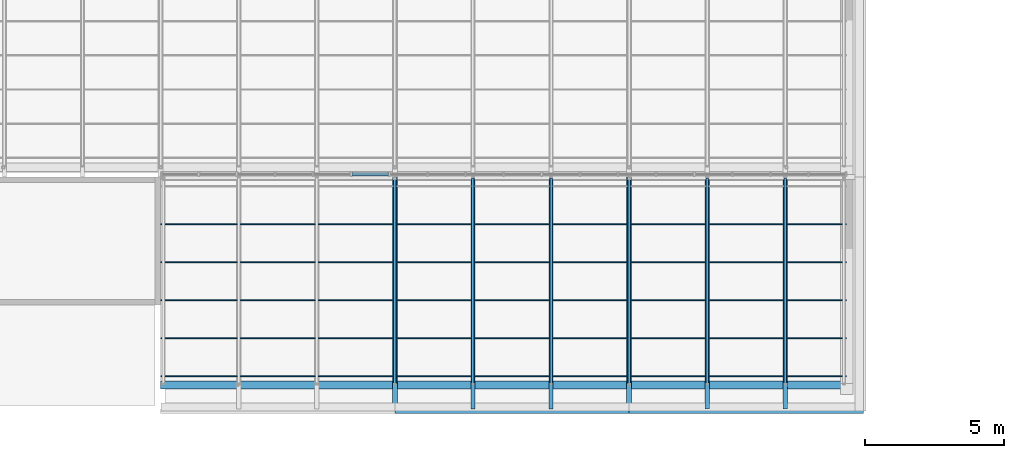
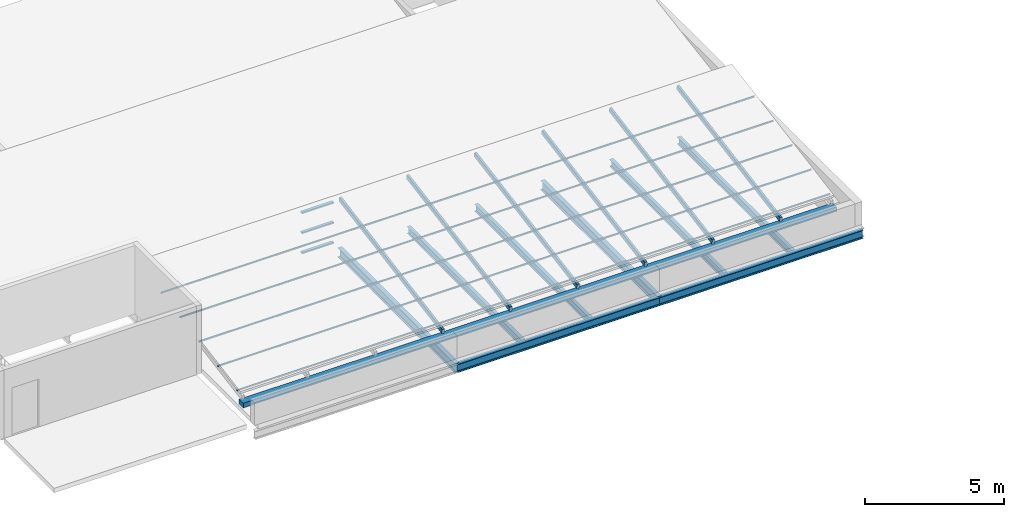
# One storey, part 4 of 42: 15 members, 8 beams, 1 element without a shape of its own.
"""IFC4 building model written with IfcOpenShell, lengths in metres."""

from ifc_helpers import new_model, si_unit, direction, frame, origin, origin_2d, place, context, subcontext, project, spatial, rectangle, hollow_rectangle, i_section, extrude, material, layer, layer_set, material_profile, profile_set, type_object, element, aggregate, save


model = new_model("IFC4")

# Units and contexts
model_context = context("Model", 3, precision=1e-05, world=origin(), true_north=direction((0.0, 1.0)))
body_context = subcontext(model_context, "Body", "Model", "MODEL_VIEW")
ifc_project = project(units=[si_unit("LENGTHUNIT", "METRE"), si_unit("AREAUNIT", "SQUARE_METRE"), si_unit("VOLUMEUNIT", "CUBIC_METRE"), si_unit("PLANEANGLEUNIT", "RADIAN"), si_unit("MASSUNIT", "GRAM", prefix="KILO")], contexts=[model_context])

# Site, building, storey
site_placement = place(None, origin())
site = spatial("IfcSite", under=ifc_project, at=site_placement, CompositionType="ELEMENT")
building_placement = place(site_placement, origin())
building = spatial("IfcBuilding", under=site, at=building_placement, Name="Ardhachandra Cancer Care Centre", CompositionType="ELEMENT")
storey_placement = place(building_placement, frame((0.0, 0.0, 22.5)))
storey = spatial("IfcBuildingStorey", under=building, at=storey_placement, Name="L05", CompositionType="ELEMENT", Elevation=22.5)

# Beams
ifc_material_1 = material(Name="Steel E350 (IS 2062)", Category="steel")
ifc_material_profile_1 = material_profile(ifc_material_1, i_section(OverallWidth=0.152099609375, OverallDepth=0.303955078125, WebThickness=0.008056640625, FlangeThickness=0.0126953125, FilletRadius=0.014892578125, at=origin_2d()), Name="NPB 300x150x49.32")
ifc_profile_set_1 = profile_set([ifc_material_profile_1], Name="Steel E350 (IS 2062)")
beam_type_1 = type_object("IfcBeamType", Name="Beam NPB 300x150x49.32", PredefinedType="BEAM", material=ifc_profile_set_1)
for number, where, z_axis, x_axis, name in (
    (1, (30.39990234375, 71.486083984375, -0.35205078125), (0.0, 1.0, 0.0), (-1.0, 0.0, 0.0), "Secondary H3-J3@2800"),
    (2, (33.199951171875, 71.486083984375, -0.35205078125), (0.0, 1.0, 0.0), (-1.0, 0.0, 0.0), "Secondary H3-J3@5600"),
    (3, (38.800048828125, 71.486083984375, -0.35205078125), (0.0, 1.0, 0.0), (-1.0, 0.0, 0.0), "Secondary H4-J4@2800"),
    (4, (41.60009765625, 71.486083984375, -0.35205078125), (0.0, 1.0, 0.0), (-1.0, 0.0, 0.0), "Secondary H4-J4@5600"),
):
    element("IfcBeam", number, at=place(storey_placement, frame(where, z_axis=z_axis, x_axis=x_axis)), inside=storey, type_object=beam_type_1, Name=name, PredefinedType="BEAM", context=body_context, shape_type="SweptSolid", body=[
        extrude(i_section(OverallWidth=0.152099609375, OverallDepth=0.303955078125, WebThickness=0.008056640625, FlangeThickness=0.0126953125, FilletRadius=0.014892578125, at=origin_2d()), origin(), (0.0, 0.0, 1.0), 8.223876953125),
    ])
ifc_material_2 = material(Name="Steel E350 (IS 2062)", Category="steel")
ifc_material_profile_2 = material_profile(ifc_material_2, i_section(OverallWidth=0.172119140625, OverallDepth=0.364013671875, WebThickness=0.00927734375, FlangeThickness=0.0146484375, FilletRadius=0.01806640625, at=origin_2d()), Name="NPB 350x170x66.04")
ifc_profile_set_2 = profile_set([ifc_material_profile_2], Name="Steel E350 (IS 2062)")
beam_type_2 = type_object("IfcBeamType", Name="Beam NPB 350x170x66.04", PredefinedType="BEAM", material=ifc_profile_set_2)
for number, where, z_axis, x_axis, name in (
    (5, (27.60009765625, 71.39990234375, -0.382080078125), (1.0, 0.0, 0.0), (0.0, 1.0, 0.0), "Edge girder H3-H4"),
    (6, (36.0, 71.39990234375, -0.382080078125), (1.0, 0.0, 0.0), (0.0, 1.0, 0.0), "Edge girder H4-H5"),
):
    element("IfcBeam", number, at=place(storey_placement, frame(where, z_axis=z_axis, x_axis=x_axis)), inside=storey, type_object=beam_type_2, Name=name, PredefinedType="BEAM", context=body_context, shape_type="SweptSolid", body=[
        extrude(i_section(OverallWidth=0.172119140625, OverallDepth=0.364013671875, WebThickness=0.00927734375, FlangeThickness=0.0146484375, FilletRadius=0.01806640625, at=origin_2d()), origin(), (0.0, 0.0, 1.0), 8.39990234375),
    ])
ifc_material_3 = material(Name="Steel E350 (IS 2062)", Category="steel")
ifc_material_profile_3 = material_profile(ifc_material_3, i_section(OverallWidth=0.179931640625, OverallDepth=0.39990234375, WebThickness=0.008544921875, FlangeThickness=0.013427734375, FilletRadius=0.02099609375, at=origin_2d()), Name="NPB 400x180x66.30")
ifc_profile_set_3 = profile_set([ifc_material_profile_3], Name="Steel E350 (IS 2062)")
beam_type_3 = type_object("IfcBeamType", Name="Beam NPB 400x180x66.30", PredefinedType="BEAM", material=ifc_profile_set_3)
for number, where, z_axis, x_axis, name in (
    (7, (27.60009765625, 71.39990234375, -0.39990234375), (0.0, 1.0, 0.0), (-1.0, 0.0, 0.0), "Girder H3-J3"),
    (8, (36.0, 71.39990234375, -0.39990234375), (0.0, 1.0, 0.0), (-1.0, 0.0, 0.0), "Girder H4-J4"),
):
    element("IfcBeam", number, at=place(storey_placement, frame(where, z_axis=z_axis, x_axis=x_axis)), inside=storey, type_object=beam_type_3, Name=name, PredefinedType="BEAM", context=body_context, shape_type="SweptSolid", body=[
        extrude(i_section(OverallWidth=0.179931640625, OverallDepth=0.39990234375, WebThickness=0.008544921875, FlangeThickness=0.013427734375, FilletRadius=0.02099609375, at=origin_2d()), origin(), (0.0, 0.0, 1.0), 8.400146484375),
    ])

# Curtain wall, members
ifc_material_4 = material(Name="Aluminium extrusion", Category="aluminium")
ifc_layer = layer(ifc_material_4, 0.14990234375)
ifc_layer_set = layer_set([ifc_layer], Name="Aluminium extrusion")
curtain_wall_type = type_object("IfcCurtainWallType", Name="Curtain wall run", PredefinedType="NOTDEFINED", material=ifc_layer_set)
curtain_wall_placement = place(storey_placement, origin())
curtain_wall = element("IfcCurtainWall", 9, at=curtain_wall_placement, inside=storey, type_object=curtain_wall_type, Name="Curtain wall L05 n/0019200_0079900", PredefinedType="NOTDEFINED")
ifc_material_5 = material(Name="Aluminium extrusion", Category="aluminium")
ifc_material_profile_4 = material_profile(ifc_material_5, rectangle(XDim=0.1201171875, YDim=0.06005859375, at=origin_2d()), Name="Curtain wall transom 60 x 120")
ifc_profile_set_4 = profile_set([ifc_material_profile_4], Name="Aluminium extrusion")
member_type_1 = type_object("IfcMemberType", Name="Curtain wall transom 60 x 120", PredefinedType="USERDEFINED", material=ifc_profile_set_4)
member_1_placement = place(storey_placement, frame((26.063232421875, 79.89990234375, 0.030029296875), z_axis=(1.0, 0.0, 0.0), x_axis=(0.0, 1.0, 0.0)))
member_1 = element("IfcMember", 10, at=member_1_placement, type_object=member_type_1, Name="CW transom 6.1", ObjectType="TRANSOM", PredefinedType="USERDEFINED", context=body_context, shape_type="SweptSolid", body=[
    extrude(rectangle(XDim=0.1201171875, YDim=0.06005859375, at=origin_2d()), origin(), (0.0, 0.0, 1.0), 1.306884765625),
])
member_2_placement = place(storey_placement, frame((26.063232421875, 79.89990234375, 0.909912109375), z_axis=(1.0, 0.0, 0.0), x_axis=(0.0, 1.0, 0.0)))
member_2 = element("IfcMember", 11, at=member_2_placement, type_object=member_type_1, Name="CW transom 6.2", ObjectType="TRANSOM", PredefinedType="USERDEFINED", context=body_context, shape_type="SweptSolid", body=[
    extrude(rectangle(XDim=0.1201171875, YDim=0.06005859375, at=origin_2d()), origin(), (0.0, 0.0, 1.0), 1.306884765625),
])
member_3_placement = place(storey_placement, frame((26.063232421875, 79.89990234375, 1.7900390625), z_axis=(1.0, 0.0, 0.0), x_axis=(0.0, 1.0, 0.0)))
member_3 = element("IfcMember", 12, at=member_3_placement, type_object=member_type_1, Name="CW transom 6.3", ObjectType="TRANSOM", PredefinedType="USERDEFINED", context=body_context, shape_type="SweptSolid", body=[
    extrude(rectangle(XDim=0.1201171875, YDim=0.06005859375, at=origin_2d()), origin(), (0.0, 0.0, 1.0), 1.306884765625),
])
aggregate(curtain_wall, [member_1, member_2, member_3])

# Members
ifc_material_6 = material(Name="Steel E350 (IS 2062)", Category="steel")
ifc_material_profile_5 = material_profile(ifc_material_6, hollow_rectangle(XDim=0.0400390625, YDim=0.080078125, WallThickness=0.00390625, InnerFilletRadius=0.00390625, OuterFilletRadius=0.008056640625, at=origin_2d()), Name="RHS 80x40x4.0")
ifc_profile_set_5 = profile_set([ifc_material_profile_5], Name="Steel E350 (IS 2062)")
member_type_2 = type_object("IfcMemberType", Name="Roof purlin RHS 80x40x4.0", PredefinedType="PURLIN", material=ifc_profile_set_5)
for number, where, z_axis, x_axis, name in (
    (13, (19.199951171875, 72.65380859375, 0.7890625), (1.0, 0.0, 0.0), (0.0, 0.984460447526, 0.175606455623), "Purlin NT1a.1"),
    (14, (19.199951171875, 74.015380859375, 1.031982421875), (1.0, 0.0, 0.0), (0.0, 0.984460447526, 0.175606455623), "Purlin NT1a.2"),
    (15, (19.199951171875, 75.376953125, 1.27490234375), (1.0, 0.0, 0.0), (0.0, 0.984460447526, 0.175606455623), "Purlin NT1a.3"),
    (16, (19.199951171875, 76.73876953125, 1.517822265625), (1.0, 0.0, 0.0), (0.0, 0.984460447526, 0.175606455623), "Purlin NT1a.4"),
    (17, (19.199951171875, 78.100341796875, 1.760498046875), (1.0, 0.0, 0.0), (0.0, 0.984460447526, 0.175606455623), "Purlin NT1a.5"),
):
    element("IfcMember", number, at=place(storey_placement, frame(where, z_axis=z_axis, x_axis=x_axis)), inside=storey, type_object=member_type_2, Name=name, PredefinedType="PURLIN", context=body_context, shape_type="SweptSolid", body=[
        extrude(hollow_rectangle(XDim=0.0400390625, YDim=0.080078125, WallThickness=0.00390625, InnerFilletRadius=0.00390625, OuterFilletRadius=0.008056640625, at=origin_2d()), origin(), (0.0, 0.0, 1.0), 24.60009765625),
    ])
ifc_material_7 = material(Name="Steel E350 (IS 2062)", Category="steel")
ifc_material_profile_6 = material_profile(ifc_material_7, hollow_rectangle(XDim=0.10009765625, YDim=0.199951171875, WallThickness=0.006103515625, InnerFilletRadius=0.006103515625, OuterFilletRadius=0.011962890625, at=origin_2d()), Name="RHS 200x100x6.0")
ifc_profile_set_6 = profile_set([ifc_material_profile_6], Name="Steel E350 (IS 2062)")
member_type_3 = type_object("IfcMemberType", Name="Roof rafter RHS 200x100x6.0", PredefinedType="RAFTER", material=ifc_profile_set_6)
for number, where, z_axis, x_axis, name in (
    (18, (27.60009765625, 72.38232421875, 0.598388671875), (0.0, 0.984459475851, 0.175611902805), (-1.0, 0.0, 0.0), "Rafter NT1a.4"),
    (19, (30.39990234375, 72.38232421875, 0.598388671875), (0.0, 0.984459475851, 0.175611902805), (-1.0, 0.0, 0.0), "Rafter NT1a.5"),
    (20, (33.199951171875, 72.38232421875, 0.598388671875), (0.0, 0.984459475851, 0.175611902805), (-1.0, 0.0, 0.0), "Rafter NT1a.6"),
    (21, (36.0, 72.38232421875, 0.598388671875), (0.0, 0.984459475851, 0.175611902805), (-1.0, 0.0, 0.0), "Rafter NT1a.7"),
    (22, (38.800048828125, 72.38232421875, 0.598388671875), (0.0, 0.984459475851, 0.175611902805), (-1.0, 0.0, 0.0), "Rafter NT1a.8"),
    (23, (41.60009765625, 72.38232421875, 0.598388671875), (0.0, 0.984459475851, 0.175611902805), (-1.0, 0.0, 0.0), "Rafter NT1a.9"),
):
    element("IfcMember", number, at=place(storey_placement, frame(where, z_axis=z_axis, x_axis=x_axis)), inside=storey, type_object=member_type_3, Name=name, PredefinedType="RAFTER", context=body_context, shape_type="SweptSolid", body=[
        extrude(hollow_rectangle(XDim=0.10009765625, YDim=0.199951171875, WallThickness=0.006103515625, InnerFilletRadius=0.006103515625, OuterFilletRadius=0.011962890625, at=origin_2d()), origin(), (0.0, 0.0, 1.0), 7.516845703125),
    ])
ifc_material_8 = material(Name="Stainless steel sheet gutter on galvanised steel cradle", Category="steel")
ifc_material_profile_7 = material_profile(ifc_material_8, rectangle(XDim=0.300048828125, YDim=0.199951171875, at=origin_2d()), Name="Valley gutter 300 x 200")
ifc_profile_set_7 = profile_set([ifc_material_profile_7], Name="Stainless steel sheet gutter on galvanised steel cradle")
member_type_4 = type_object("IfcMemberType", Name="Valley gutter 300 x 200", PredefinedType="USERDEFINED", material=ifc_profile_set_7)
member_4_placement = place(storey_placement, frame((19.199951171875, 72.340087890625, 0.39990234375), z_axis=(1.0, 0.0, 0.0), x_axis=(0.0, 1.0, 0.0)))
element("IfcMember", 24, at=member_4_placement, inside=storey, type_object=member_type_4, Name="Valley gutter NT1a", ObjectType="GUTTER", PredefinedType="USERDEFINED", context=body_context, shape_type="SweptSolid", body=[
    extrude(rectangle(XDim=0.300048828125, YDim=0.199951171875, at=origin_2d()), origin(), (0.0, 0.0, 1.0), 24.60009765625),
])

save(model, "model.ifc")
